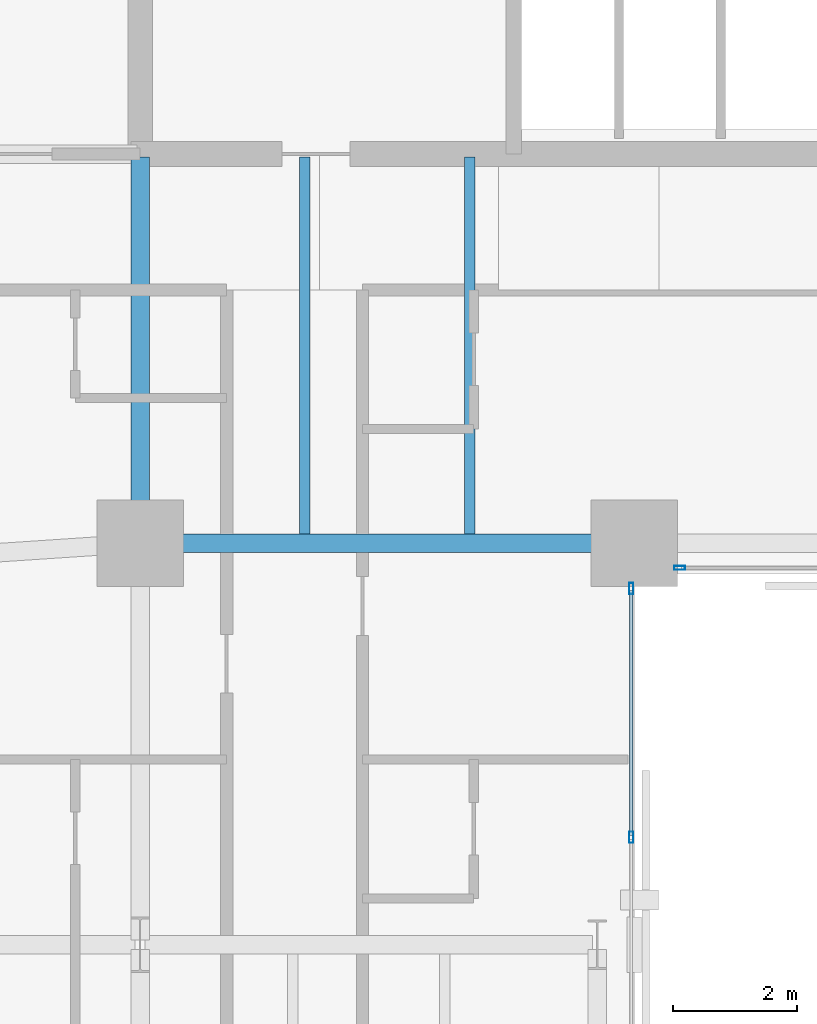
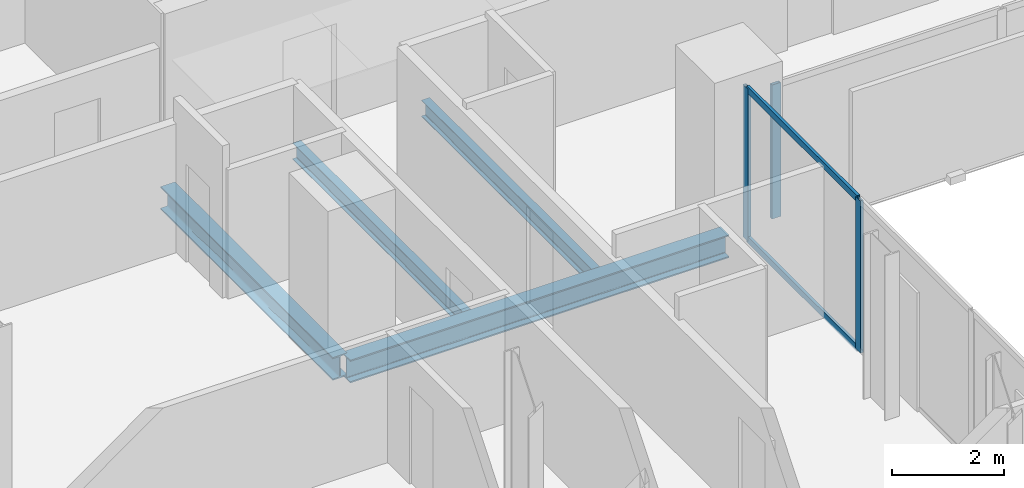
# One storey, part 13 of 33: 5 members, 4 beams, 2 elements without a shape of their own.
"""IFC4 building model written with IfcOpenShell, lengths in metres."""

from ifc_helpers import new_model, si_unit, direction, frame, origin, origin_2d, place, context, subcontext, project, spatial, hollow_rectangle, i_section, extrude, material, layer, layer_set, material_profile, profile_set, type_object, element, aggregate, save


model = new_model("IFC4")

# Units and contexts
model_context = context("Model", 3, precision=1e-05, world=origin(), true_north=direction((0.0, 1.0)))
body_context = subcontext(model_context, "Body", "Model", "MODEL_VIEW")
ifc_project = project(units=[si_unit("LENGTHUNIT", "METRE"), si_unit("AREAUNIT", "SQUARE_METRE"), si_unit("VOLUMEUNIT", "CUBIC_METRE"), si_unit("PLANEANGLEUNIT", "RADIAN"), si_unit("MASSUNIT", "GRAM", prefix="KILO")], contexts=[model_context])

# Site, building, storey
site_placement = place(None, origin())
site = spatial("IfcSite", under=ifc_project, at=site_placement, CompositionType="ELEMENT")
building_placement = place(site_placement, origin())
building = spatial("IfcBuilding", under=site, at=building_placement, Name="Catumbela Crestline Tower", CompositionType="ELEMENT")
storey_placement = place(building_placement, frame((0.0, 0.0, 43.8)))
storey = spatial("IfcBuildingStorey", under=building, at=storey_placement, Name="L10", CompositionType="ELEMENT", Elevation=43.8)

# Beams
ifc_material_1 = material(Name="Structural steel S355J2", Category="steel")
ifc_material_profile_1 = material_profile(ifc_material_1, i_section(OverallWidth=0.3, OverallDepth=0.5, WebThickness=0.0145, FlangeThickness=0.028, FilletRadius=0.027, at=origin_2d()), Name="HEB 500")
ifc_profile_set_1 = profile_set([ifc_material_profile_1], Name="Structural steel S355J2")
beam_type_1 = type_object("IfcBeamType", Name="BG-HEB500", PredefinedType="BEAM", material=ifc_profile_set_1)
beam_1_placement = place(storey_placement, frame((16.08, 24.5, -0.51), z_axis=(1.0, 0.0, 0.0), x_axis=(0.0, 1.0, 0.0)))
element("IfcBeam", 1, at=beam_1_placement, inside=storey, type_object=beam_type_1, Name="L10 Beam BM-L10-S04", PredefinedType="BEAM", context=body_context, shape_type="SweptSolid", body=[
    extrude(i_section(OverallWidth=0.3, OverallDepth=0.5, WebThickness=0.0145, FlangeThickness=0.028, FilletRadius=0.027, at=origin_2d()), origin(), (0.0, 0.0, 1.0), 7.84),
])
beam_2_placement = place(storey_placement, frame((16.0, 24.58, -0.51), z_axis=(0.0, 1.0, 0.0), x_axis=(-1.0, 0.0, 0.0)))
element("IfcBeam", 2, at=beam_2_placement, inside=storey, type_object=beam_type_1, Name="L10 Beam BM-L10-SNS31", PredefinedType="BEAM", context=body_context, shape_type="SweptSolid", body=[
    extrude(i_section(OverallWidth=0.3, OverallDepth=0.5, WebThickness=0.0145, FlangeThickness=0.028, FilletRadius=0.027, at=origin_2d()), origin(), (0.0, 0.0, 1.0), 6.17),
])
ifc_material_profile_2 = material_profile(ifc_material_1, i_section(OverallWidth=0.17, OverallDepth=0.36, WebThickness=0.008, FlangeThickness=0.0127, FilletRadius=0.018, at=origin_2d()), Name="IPE 360")
ifc_profile_set_2 = profile_set([ifc_material_profile_2], Name="Structural steel S355J2")
beam_type_2 = type_object("IfcBeamType", Name="BJ-IPE360", PredefinedType="JOIST", material=ifc_profile_set_2)
for number, where, z_axis, x_axis, name in (
    (3, (18.667, 24.647, -0.44), (0.0, 1.0, 0.0), (-1.0, 0.0, 0.0), "L10 Joist JS-L10-SP42"),
    (4, (21.333, 24.647, -0.44), (0.0, 1.0, 0.0), (-1.0, 0.0, 0.0), "L10 Joist JS-L10-SP43"),
):
    element("IfcBeam", number, at=place(storey_placement, frame(where, z_axis=z_axis, x_axis=x_axis)), inside=storey, type_object=beam_type_2, Name=name, PredefinedType="JOIST", context=body_context, shape_type="SweptSolid", body=[
        extrude(i_section(OverallWidth=0.17, OverallDepth=0.36, WebThickness=0.008, FlangeThickness=0.0127, FilletRadius=0.018, at=origin_2d()), origin(), (0.0, 0.0, 1.0), 6.103),
    ])

# Curtain wall, members
ifc_material_2 = material(Name="Aluminium alloy AW-6060-T66", Category="aluminium")
ifc_layer = layer(ifc_material_2, 0.18, Name="Aluminium alloy AW-6060-T66")
ifc_layer_set = layer_set([ifc_layer], Name="Aluminium alloy AW-6060-T66")
curtain_wall_type = type_object("IfcCurtainWallType", Name="CWU-Z1", PredefinedType="USERDEFINED", material=ifc_layer_set)
curtain_wall_1_placement = place(storey_placement, origin())
curtain_wall_1 = element("IfcCurtainWall", 5, at=curtain_wall_1_placement, inside=storey, type_object=curtain_wall_type, Name="L10 Unitised Curtain Wall CW-L10-E2S1", ObjectType="UNITISED", PredefinedType="USERDEFINED")
ifc_material_profile_3 = material_profile(ifc_material_2, hollow_rectangle(XDim=0.065, YDim=0.18, WallThickness=0.004, at=origin_2d()), Name="ALU 180x65x4")
ifc_profile_set_3 = profile_set([ifc_material_profile_3], Name="Aluminium alloy AW-6060-T66")
member_type_1 = type_object("IfcMemberType", Name="MUL-180X65", PredefinedType="MULLION", material=ifc_profile_set_3)
member_1_placement = place(storey_placement, frame((23.95, 19.74, 0.0), z_axis=(0.0, 0.0, 1.0), x_axis=(-1.0, 0.0, 0.0)))
member_1 = element("IfcMember", 6, at=member_1_placement, type_object=member_type_1, Name="CWU-Z1 mullion 5", PredefinedType="MULLION", context=body_context, shape_type="SweptSolid", body=[
    extrude(hollow_rectangle(XDim=0.065, YDim=0.18, WallThickness=0.004, at=origin_2d()), origin(), (0.0, 0.0, 1.0), 3.33),
])
member_2_placement = place(storey_placement, frame((23.95, 23.7675, 0.0), z_axis=(0.0, 0.0, 1.0), x_axis=(-1.0, 0.0, 0.0)))
member_2 = element("IfcMember", 7, at=member_2_placement, type_object=member_type_1, Name="CWU-Z1 mullion 6", PredefinedType="MULLION", context=body_context, shape_type="SweptSolid", body=[
    extrude(hollow_rectangle(XDim=0.065, YDim=0.18, WallThickness=0.004, at=origin_2d()), origin(), (0.0, 0.0, 1.0), 3.33),
])

# Curtain wall, member
curtain_wall_2_placement = place(storey_placement, origin())
curtain_wall_2 = element("IfcCurtainWall", 8, at=curtain_wall_2_placement, inside=storey, type_object=curtain_wall_type, Name="L10 Unitised Curtain Wall CW-L10-E3S1", ObjectType="UNITISED", PredefinedType="USERDEFINED")
member_3_placement = place(storey_placement, frame((24.7325, 24.1, 0.0), z_axis=(0.0, 0.0, 1.0), x_axis=(0.0, 1.0, 0.0)))
member_3 = element("IfcMember", 9, at=member_3_placement, type_object=member_type_1, Name="CWU-Z1 mullion 1", PredefinedType="MULLION", context=body_context, shape_type="SweptSolid", body=[
    extrude(hollow_rectangle(XDim=0.065, YDim=0.18, WallThickness=0.004, at=origin_2d()), origin(), (0.0, 0.0, 1.0), 2.93),
])
aggregate(curtain_wall_2, [member_3])

# Member
ifc_material_profile_4 = material_profile(ifc_material_2, hollow_rectangle(XDim=0.06, YDim=0.14, WallThickness=0.004, at=origin_2d()), Name="ALU 140x60x4")
ifc_profile_set_4 = profile_set([ifc_material_profile_4], Name="Aluminium alloy AW-6060-T66")
member_type_2 = type_object("IfcMemberType", Name="TRN-140X60", PredefinedType="USERDEFINED", material=ifc_profile_set_4)
member_4_placement = place(storey_placement, frame((23.95, 19.7725, 0.03), z_axis=(0.0, 1.0, 0.0), x_axis=(-1.0, 0.0, 0.0)))
member_4 = element("IfcMember", 10, at=member_4_placement, type_object=member_type_2, Name="CWU-Z1 transom 5.1", ObjectType="TRANSOM", PredefinedType="USERDEFINED", context=body_context, shape_type="SweptSolid", body=[
    extrude(hollow_rectangle(XDim=0.06, YDim=0.14, WallThickness=0.004, at=origin_2d()), origin(), (0.0, 0.0, 1.0), 3.9625),
])

member_5_placement = place(storey_placement, frame((23.95, 19.7725, 3.3), z_axis=(0.0, 1.0, 0.0), x_axis=(-1.0, 0.0, 0.0)))
member_5 = element("IfcMember", 11, at=member_5_placement, type_object=member_type_2, Name="CWU-Z1 transom 5.2", ObjectType="TRANSOM", PredefinedType="USERDEFINED", context=body_context, shape_type="SweptSolid", body=[
    extrude(hollow_rectangle(XDim=0.06, YDim=0.14, WallThickness=0.004, at=origin_2d()), origin(), (0.0, 0.0, 1.0), 3.9625),
])

aggregate(curtain_wall_1, [member_1, member_2, member_4, member_5])

save(model, "model.ifc")
